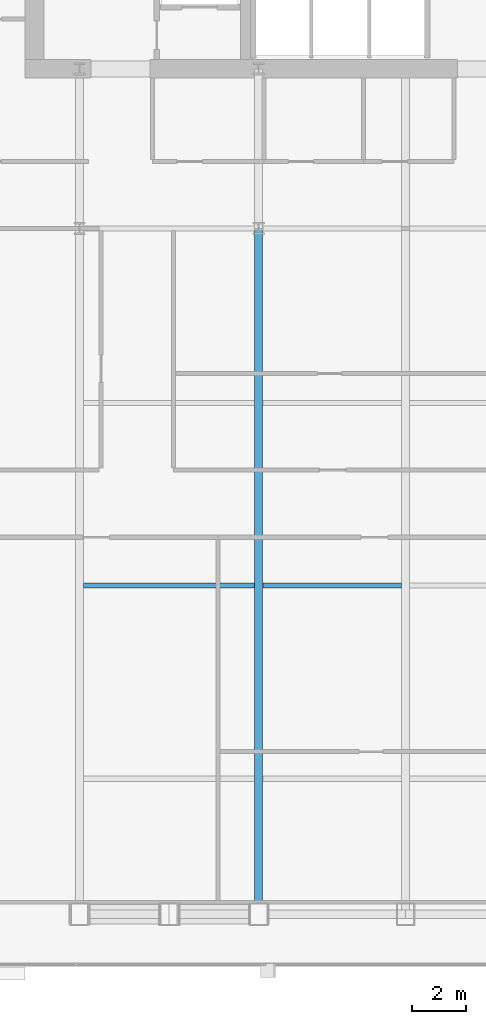
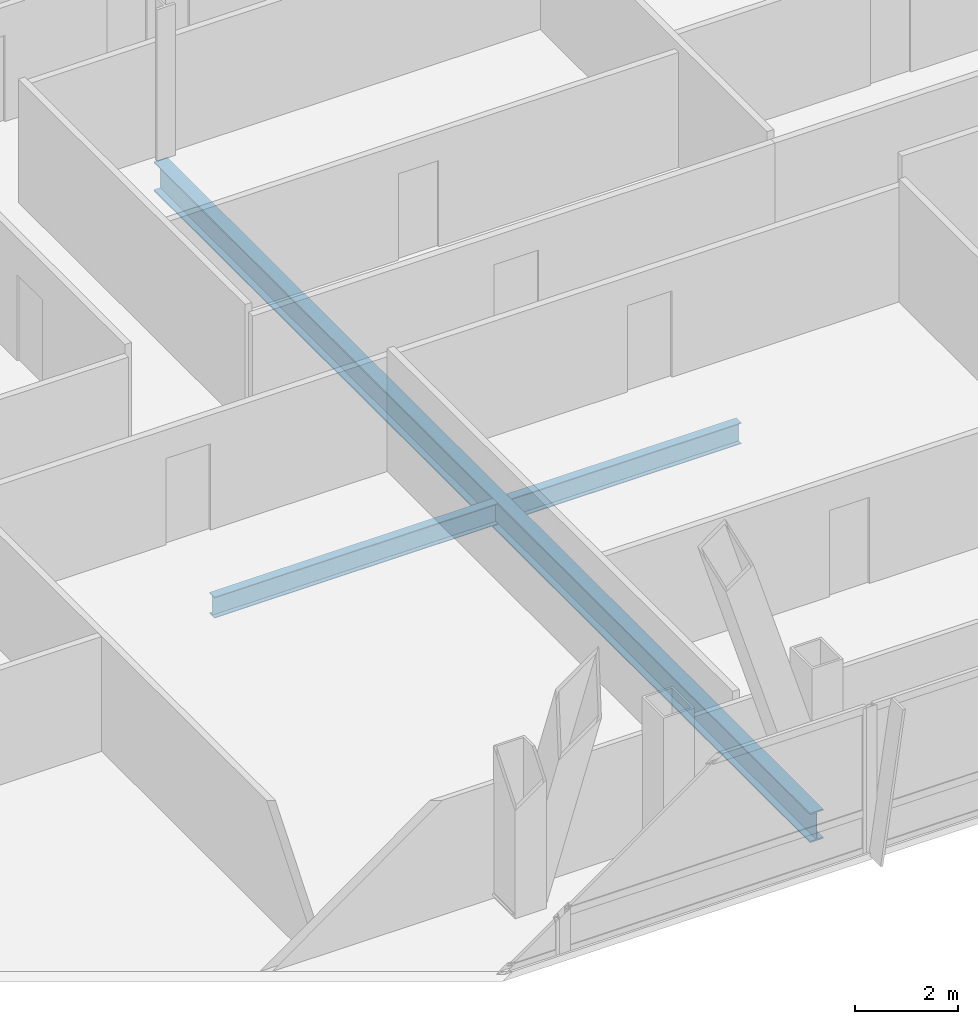
# One storey, part 9 of 30: 3 beams.
"""IFC4 building model written with IfcOpenShell, lengths in metres."""

from ifc_helpers import new_model, si_unit, direction, frame, origin, origin_2d, place, context, subcontext, project, spatial, i_section, extrude, material, material_profile, profile_set, type_object, element, save


model = new_model("IFC4")

# Units and contexts
model_context = context("Model", 3, precision=1e-05, world=origin(), true_north=direction((0.0, 1.0)))
body_context = subcontext(model_context, "Body", "Model", "MODEL_VIEW")
ifc_project = project(units=[si_unit("LENGTHUNIT", "METRE"), si_unit("AREAUNIT", "SQUARE_METRE"), si_unit("VOLUMEUNIT", "CUBIC_METRE"), si_unit("PLANEANGLEUNIT", "RADIAN"), si_unit("MASSUNIT", "GRAM", prefix="KILO")], contexts=[model_context])

# Site, building, storey
site_placement = place(None, origin())
site = spatial("IfcSite", under=ifc_project, at=site_placement, CompositionType="ELEMENT")
building_placement = place(site_placement, origin())
building = spatial("IfcBuilding", under=site, at=building_placement, Name="Khoronbel Lancet Exchange", CompositionType="ELEMENT")
storey_placement = place(building_placement, frame((0.0, 0.0, 136.199951171875)))
storey = spatial("IfcBuildingStorey", under=building, at=storey_placement, Name="L33", CompositionType="ELEMENT", Elevation=136.199951171875)

# Beams
ifc_material = material(Name="Steel S355", Category="steel")
ifc_material_profile_1 = material_profile(ifc_material, i_section(OverallWidth=0.300048828125, OverallDepth=0.699951171875, WebThickness=0.01708984375, FlangeThickness=0.031982421875, at=origin_2d()), Name="HEB 700")
ifc_profile_set_1 = profile_set([ifc_material_profile_1], Name="Steel S355")
beam_type_1 = type_object("IfcBeamType", Name="BM-BG3", PredefinedType="BEAM", material=ifc_profile_set_1)
beam_1_placement = place(storey_placement, frame((24.89990234375, 10.14990234375, -0.510009765625), z_axis=(0.0, 1.0, 0.0), x_axis=(-1.0, 0.0, 0.0)))
element("IfcBeam", 1, at=beam_1_placement, inside=storey, type_object=beam_type_1, Name="Level L33 south primary girder GS2", PredefinedType="BEAM", context=body_context, shape_type="SweptSolid", body=[
    extrude(i_section(OverallWidth=0.300048828125, OverallDepth=0.699951171875, WebThickness=0.01708984375, FlangeThickness=0.031982421875, at=origin_2d()), origin(), (0.0, 0.0, 1.0), 25.550048828125),
])
ifc_material_profile_2 = material_profile(ifc_material, i_section(OverallWidth=0.199951171875, OverallDepth=0.5, WebThickness=0.01025390625, FlangeThickness=0.01611328125, at=origin_2d()), Name="IPE 500")
ifc_profile_set_2 = profile_set([ifc_material_profile_2], Name="Steel S355")
beam_type_2 = type_object("IfcBeamType", Name="BM-BJ3", PredefinedType="JOIST", material=ifc_profile_set_2)
beam_2_placement = place(storey_placement, frame((18.375, 22.39990234375, -0.409912109375), z_axis=(1.0, 0.0, 0.0), x_axis=(0.0, 1.0, 0.0)))
element("IfcBeam", 2, at=beam_2_placement, inside=storey, type_object=beam_type_2, Name="Level L33 secondary composite joist J06", PredefinedType="JOIST", context=body_context, shape_type="SweptSolid", body=[
    extrude(i_section(OverallWidth=0.199951171875, OverallDepth=0.5, WebThickness=0.01025390625, FlangeThickness=0.01611328125, at=origin_2d()), origin(), (0.0, 0.0, 1.0), 6.375),
])
beam_3_placement = place(storey_placement, frame((25.050048828125, 22.39990234375, -0.409912109375), z_axis=(1.0, 0.0, 0.0), x_axis=(0.0, 1.0, 0.0)))
element("IfcBeam", 3, at=beam_3_placement, inside=storey, type_object=beam_type_2, Name="Level L33 secondary composite joist J07", PredefinedType="JOIST", context=body_context, shape_type="SweptSolid", body=[
    extrude(i_section(OverallWidth=0.199951171875, OverallDepth=0.5, WebThickness=0.01025390625, FlangeThickness=0.01611328125, at=origin_2d()), origin(), (0.0, 0.0, 1.0), 5.175048828125),
])

save(model, "model.ifc")
